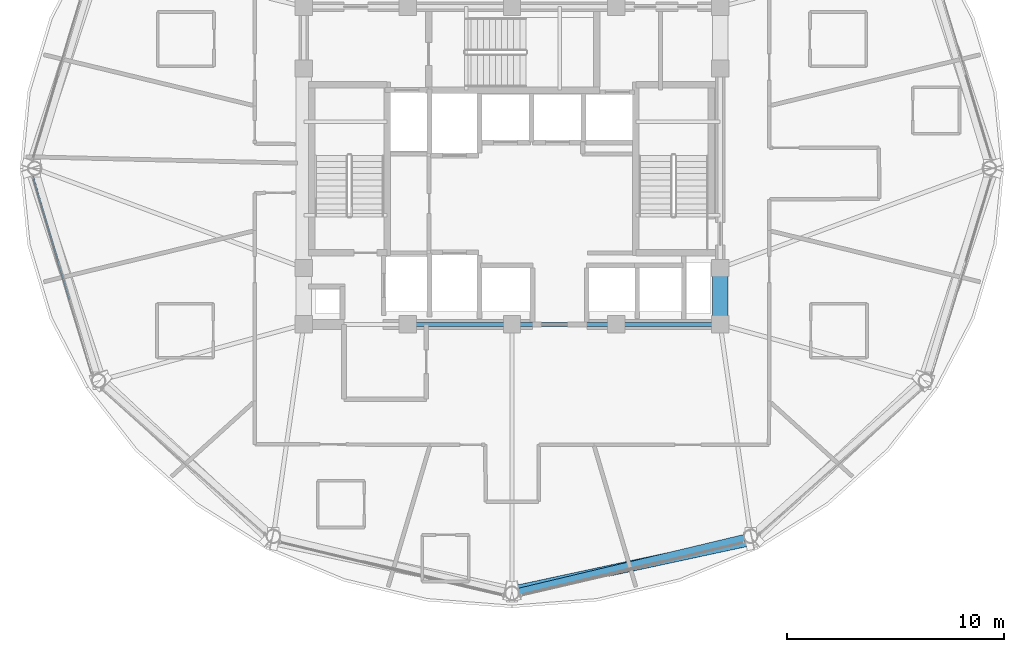
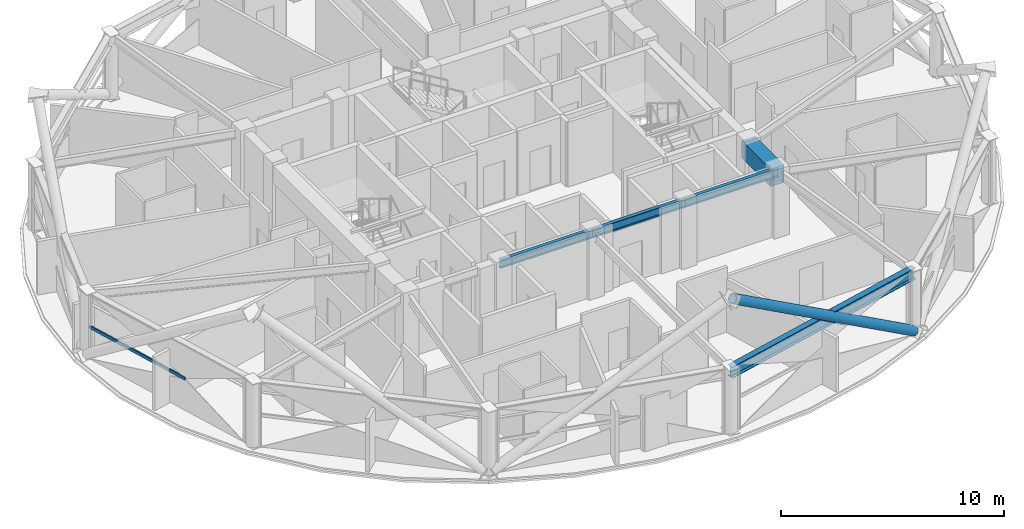
# One storey, part 6 of 29: 5 beams, 2 members, 1 element without a shape of its own.
"""IFC4 building model written with IfcOpenShell, lengths in metres."""

from ifc_helpers import new_model, si_unit, direction, frame, origin, origin_2d, place, context, subcontext, project, spatial, rectangle, hollow_rectangle, hollow_circle, i_section, extrude, material, layer, layer_set, material_profile, profile_set, type_object, element, aggregate, save


model = new_model("IFC4")

# Units and contexts
model_context = context("Model", 3, precision=1e-05, world=origin(), true_north=direction((0.0, 1.0)))
body_context = subcontext(model_context, "Body", "Model", "MODEL_VIEW")
ifc_project = project(units=[si_unit("LENGTHUNIT", "METRE"), si_unit("AREAUNIT", "SQUARE_METRE"), si_unit("VOLUMEUNIT", "CUBIC_METRE"), si_unit("PLANEANGLEUNIT", "RADIAN"), si_unit("MASSUNIT", "GRAM", prefix="KILO")], contexts=[model_context])

# Site, building, storey
site_placement = place(None, origin())
site = spatial("IfcSite", under=ifc_project, at=site_placement, CompositionType="ELEMENT")
building_placement = place(site_placement, origin())
building = spatial("IfcBuilding", under=site, at=building_placement, Name="Vantalir Tower", CompositionType="ELEMENT")
storey_placement = place(building_placement, frame((0.0, 0.0, 227.39990234375)))
storey = spatial("IfcBuildingStorey", under=building, at=storey_placement, Name="L57", CompositionType="ELEMENT", Elevation=227.39990234375)

# Beams
ifc_material_1 = material(Name="Concrete C60/75", Category="concrete")
ifc_material_profile_1 = material_profile(ifc_material_1, rectangle(XDim=0.699951171875, YDim=0.949951171875, at=origin_2d()), Name="Concrete C60/75")
ifc_profile_set_1 = profile_set([ifc_material_profile_1], Name="Concrete C60/75")
beam_type_1 = type_object("IfcBeamType", Name="BM-CB-700x950", PredefinedType="USERDEFINED", material=ifc_profile_set_1)
beam_1_placement = place(storey_placement, frame((41.10009765625, 17.800048828125, 3.09521484375), z_axis=(0.0, 1.0, 0.0), x_axis=(-1.0, 0.0, 0.0)))
element("IfcBeam", 1, at=beam_1_placement, inside=storey, type_object=beam_type_1, Name="L57 Core Coupling Girder 05", ObjectType="GIRDER", PredefinedType="USERDEFINED", context=body_context, shape_type="SweptSolid", body=[
    extrude(rectangle(XDim=0.699951171875, YDim=0.949951171875, at=origin_2d()), origin(), (0.0, 0.0, 1.0), 2.599853515625),
])
ifc_material_2 = material(Name="Steel S355", Category="steel")
ifc_material_profile_2 = material_profile(ifc_material_2, i_section(OverallWidth=0.19189453125, OverallDepth=0.462890625, WebThickness=0.010498046875, FlangeThickness=0.017578125, at=origin_2d()), Name="Steel S355")
ifc_profile_set_2 = profile_set([ifc_material_profile_2], Name="Steel S355")
beam_type_2 = type_object("IfcBeamType", Name="BM-RB-457x191", PredefinedType="BEAM", material=ifc_profile_set_2)
for number, where, z_axis, x_axis, name in (
    (2, (26.699951171875, 17.800048828125, 3.338134765625), (1.0, 0.0, 0.0), (0.0, 1.0, 0.0), "L57 Core Coupling Girder 02"),
    (3, (31.5, 17.800048828125, 3.338134765625), (1.0, 0.0, 0.0), (0.0, 1.0, 0.0), "L57 Core Coupling Girder 03"),
    (4, (36.300048828125, 17.800048828125, 3.338134765625), (1.0, 0.0, 0.0), (0.0, 1.0, 0.0), "L57 Core Coupling Girder 04"),
):
    element("IfcBeam", number, at=place(storey_placement, frame(where, z_axis=z_axis, x_axis=x_axis)), inside=storey, type_object=beam_type_2, Name=name, PredefinedType="BEAM", context=body_context, shape_type="SweptSolid", body=[
        extrude(i_section(OverallWidth=0.19189453125, OverallDepth=0.462890625, WebThickness=0.010498046875, FlangeThickness=0.017578125, at=origin_2d()), origin(), (0.0, 0.0, 1.0), 4.800048828125),
    ])
ifc_material_3 = material(Name="Steel S460", Category="steel")
ifc_material_profile_3 = material_profile(ifc_material_3, i_section(OverallWidth=0.306884765625, OverallDepth=0.6201171875, WebThickness=0.01416015625, FlangeThickness=0.023681640625, at=origin_2d()), Name="Steel S460")
ifc_profile_set_3 = profile_set([ifc_material_profile_3], Name="Steel S460")
beam_type_3 = type_object("IfcBeamType", Name="BM-RG-610x305", PredefinedType="USERDEFINED", material=ifc_profile_set_3)
beam_2_placement = place(storey_placement, frame((31.5, 5.404052734375, 3.260009765625), z_axis=(0.972716546071, 0.231996812479, 0.0), x_axis=(-0.231996812479, 0.972716546071, 0.0)))
element("IfcBeam", 5, at=beam_2_placement, inside=storey, type_object=beam_type_3, Name="L57 Circumferential Ring Girder 10", ObjectType="GIRDER", PredefinedType="USERDEFINED", context=body_context, shape_type="SweptSolid", body=[
    extrude(i_section(OverallWidth=0.306884765625, OverallDepth=0.6201171875, WebThickness=0.01416015625, FlangeThickness=0.023681640625, at=origin_2d()), origin(), (0.0, 0.0, 1.0), 11.314697265625),
])

# Curtain wall, member
ifc_material_4 = material(Name="Champagne-silver PVDF aluminium and double-silver Low-E glass", Category="aluminium")
ifc_layer = layer(ifc_material_4, 0.2099609375)
ifc_layer_set = layer_set([ifc_layer], Name="Champagne-silver PVDF aluminium and double-silver Low-E glass")
curtain_wall_type = type_object("IfcCurtainWallType", Name="CW-DIAMOND-Z3", PredefinedType="USERDEFINED", material=ifc_layer_set)
curtain_wall_placement = place(storey_placement, origin())
curtain_wall = element("IfcCurtainWall", 6, at=curtain_wall_placement, inside=storey, type_object=curtain_wall_type, Name="L57 Quilted Pyramid-Diamond Curtain Wall S07", ObjectType="UNITISED CURTAIN WALL", PredefinedType="USERDEFINED")
ifc_material_5 = material(Name="Champagne-silver PVDF aluminium 6063-T6", Category="aluminium")
ifc_material_profile_4 = material_profile(ifc_material_5, hollow_rectangle(XDim=0.074951171875, YDim=0.159912109375, WallThickness=0.00390625, at=origin_2d()), Name="Champagne-silver PVDF aluminium 6063-T6")
ifc_profile_set_4 = profile_set([ifc_material_profile_4], Name="Champagne-silver PVDF aluminium 6063-T6")
member_type_1 = type_object("IfcMemberType", Name="CWT-160x75", PredefinedType="USERDEFINED", material=ifc_profile_set_4)
member_1_placement = place(storey_placement, frame((9.4150390625, 24.60693359375, 1.78515625), z_axis=(0.28410947815, -0.958791846245, 0.0), x_axis=(0.958791846245, 0.28410947815, 0.0)))
member_1 = element("IfcMember", 7, at=member_1_placement, type_object=member_type_1, Name="CW-L57-S07 Pyramid Fold Ridge Transom", ObjectType="TRANSOM", PredefinedType="USERDEFINED", context=body_context, shape_type="SweptSolid", body=[
    extrude(hollow_rectangle(XDim=0.074951171875, YDim=0.159912109375, WallThickness=0.00390625, at=origin_2d()), origin(), (0.0, 0.0, 1.0), 5.895751953125),
])
aggregate(curtain_wall, [member_1])

# Member
ifc_material_profile_5 = material_profile(ifc_material_3, hollow_circle(Radius=0.25, WallThickness=0.031982421875, at=origin_2d()), Name="Steel S460")
ifc_profile_set_5 = profile_set([ifc_material_profile_5], Name="Steel S460")
member_type_2 = type_object("IfcMemberType", Name="MEM-DB-500x32", PredefinedType="BRACE", material=ifc_profile_set_5)
member_2_placement = place(storey_placement, frame((42.419921875, 7.825927734375, 0.197021484375), z_axis=(-0.826956333231, -0.177883133681, 0.533386176874), x_axis=(0.210295606502, -0.977637845977, 0.0)))
element("IfcMember", 8, at=member_2_placement, inside=storey, type_object=member_type_2, Name="L57 Perimeter S460 Diagrid Brace R31R", PredefinedType="BRACE", context=body_context, shape_type="SweptSolid", body=[
    extrude(hollow_circle(Radius=0.25, WallThickness=0.031982421875, at=origin_2d()), origin(), (0.0, 0.0, 1.0), 12.985107421875),
])

save(model, "model.ifc")
